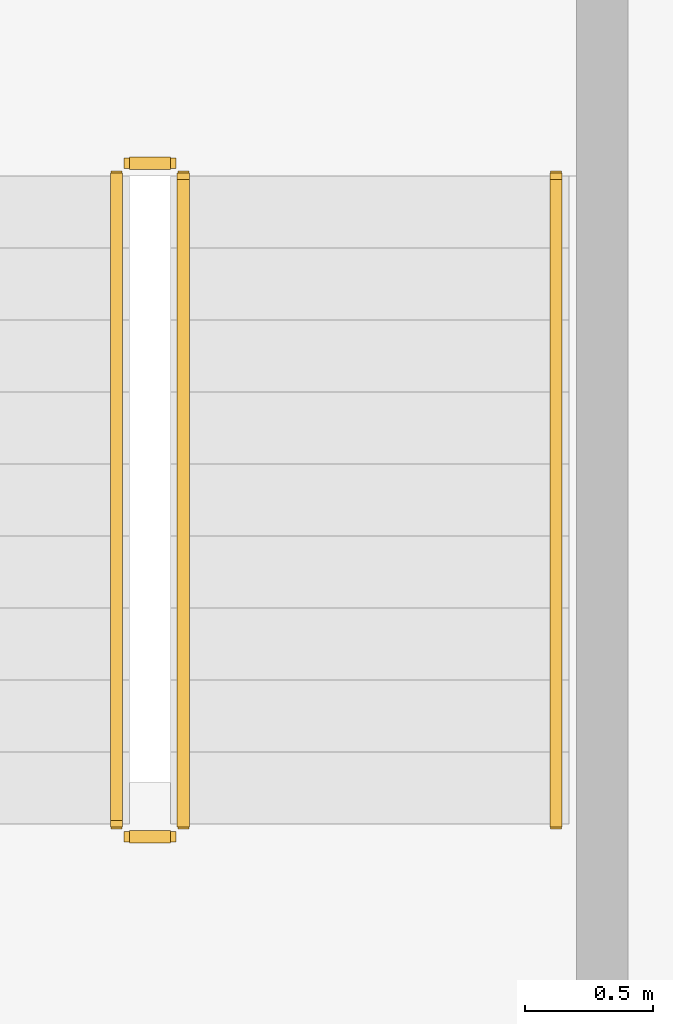
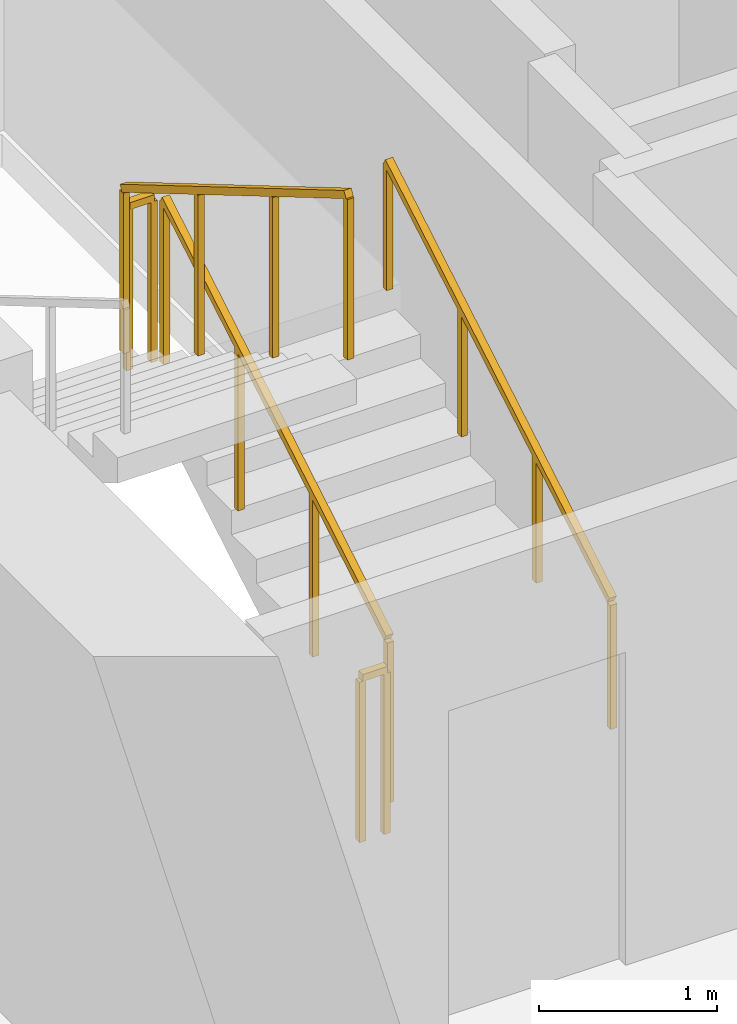
# One storey, part 24 of 26: 5 railings.
"""IFC4 building model written with IfcOpenShell, lengths in metres."""

from ifc_helpers import new_model, si_unit, direction, frame, origin, origin_2d, place, context, subcontext, project, spatial, rectangle, extrude, material, type_object, element, save


model = new_model("IFC4")

# Units and contexts
model_context = context("Model", 3, precision=1e-05, world=origin(), true_north=direction((0.0, 1.0)))
body_context = subcontext(model_context, "Body", "Model", "MODEL_VIEW")
ifc_project = project(units=[si_unit("LENGTHUNIT", "METRE"), si_unit("AREAUNIT", "SQUARE_METRE"), si_unit("VOLUMEUNIT", "CUBIC_METRE"), si_unit("PLANEANGLEUNIT", "RADIAN"), si_unit("MASSUNIT", "GRAM", prefix="KILO")], contexts=[model_context])

# Site, building, storey
site_placement = place(None, origin())
site = spatial("IfcSite", under=ifc_project, at=site_placement, CompositionType="ELEMENT")
building_placement = place(site_placement, origin())
building = spatial("IfcBuilding", under=site, at=building_placement, Name="Zarnakvel Exchange Tower", CompositionType="ELEMENT")
storey_placement = place(building_placement, frame((0.0, 0.0, 63.699951171875)))
storey = spatial("IfcBuildingStorey", under=building, at=storey_placement, Name="L17", CompositionType="ELEMENT", Elevation=63.699951171875)

# Railings
ifc_material_1 = material(Name="Brushed Stainless Steel", Category="steel")
railing_type_1 = type_object("IfcRailingType", Name="HR-01", PredefinedType="HANDRAIL", material=ifc_material_1)
railing_1_placement = place(storey_placement, frame((-10.590087890625, 5.050048828125, 0.1650390625)))
element("IfcRailing", 1, at=railing_1_placement, inside=storey, type_object=railing_type_1, Name="L17 ST-01 stair handrail 1", PredefinedType="HANDRAIL", context=body_context, shape_type="SweptSolid", body=[
    extrude(rectangle(XDim=0.048095703125, YDim=0.048095703125, at=origin_2d()), frame((0.0, 0.0, 0.8759765625), z_axis=(0.0, 0.86152411907, 0.507716645641), x_axis=(-1.0, 0.0, 0.0)), (0.0, 0.0, 1.0), 2.925048828125),
    extrude(rectangle(XDim=0.0419921875, YDim=0.0419921875, at=origin_2d()), origin(), (0.0, 0.0, 1.0), 0.851806640625),
    extrude(rectangle(XDim=0.0419921875, YDim=0.0419921875, at=origin_2d()), frame((0.0, 0.840087890625, 0.4951171875)), (0.0, 0.0, 1.0), 0.851806640625),
    extrude(rectangle(XDim=0.0419921875, YDim=0.0419921875, at=origin_2d()), frame((0.0, 1.679931640625, 0.989990234375)), (0.0, 0.0, 1.0), 0.851806640625),
    extrude(rectangle(XDim=0.0419921875, YDim=0.0419921875, at=origin_2d()), frame((0.0, 2.52001953125, 1.485107421875)), (0.0, 0.0, 1.0), 0.851806640625),
])
ifc_material_2 = material(Name="Architectural Bronze Anodised Aluminium", Category="aluminium")
railing_type_2 = type_object("IfcRailingType", Name="SG-01", PredefinedType="GUARDRAIL", material=ifc_material_2)
railing_2_placement = place(storey_placement, frame((-12.0400390625, 5.050048828125, 0.1650390625)))
element("IfcRailing", 2, at=railing_2_placement, inside=storey, type_object=railing_type_2, Name="L17 ST-01 stair guard 1", PredefinedType="GUARDRAIL", context=body_context, shape_type="SweptSolid", body=[
    extrude(rectangle(XDim=0.048095703125, YDim=0.048095703125, at=origin_2d()), frame((0.0, 0.0, 1.1259765625), z_axis=(0.0, 0.86152411907, 0.507716645641), x_axis=(-1.0, 0.0, 0.0)), (0.0, 0.0, 1.0), 2.925048828125),
    extrude(rectangle(XDim=0.0419921875, YDim=0.0419921875, at=origin_2d()), origin(), (0.0, 0.0, 1.0), 1.101806640625),
    extrude(rectangle(XDim=0.0419921875, YDim=0.0419921875, at=origin_2d()), frame((0.0, 0.840087890625, 0.4951171875)), (0.0, 0.0, 1.0), 1.101806640625),
    extrude(rectangle(XDim=0.0419921875, YDim=0.0419921875, at=origin_2d()), frame((0.0, 1.679931640625, 0.989990234375)), (0.0, 0.0, 1.0), 1.101806640625),
    extrude(rectangle(XDim=0.0419921875, YDim=0.0419921875, at=origin_2d()), frame((0.0, 2.52001953125, 1.485107421875)), (0.0, 0.0, 1.0), 1.101806640625),
])
railing_3_placement = place(storey_placement, frame((-12.090087890625, 7.6201171875, 1.650146484375)))
element("IfcRailing", 3, at=railing_3_placement, inside=storey, type_object=railing_type_2, Name="L17 ST-01 stair guard 2", PredefinedType="GUARDRAIL", context=body_context, shape_type="SweptSolid", body=[
    extrude(rectangle(XDim=0.048095703125, YDim=0.048095703125, at=origin_2d()), frame((0.0, 0.0, 1.1259765625), z_axis=(-1.0, 0.0, 0.0), x_axis=(0.0, -1.0, 0.0)), (0.0, 0.0, 1.0), 0.159912109375),
    extrude(rectangle(XDim=0.0419921875, YDim=0.0419921875, at=origin_2d()), origin(), (0.0, 0.0, 1.0), 1.101806640625),
    extrude(rectangle(XDim=0.0419921875, YDim=0.0419921875, at=origin_2d()), frame((-0.159912109375, 0.0, 0.0)), (0.0, 0.0, 1.0), 1.101806640625),
])
railing_4_placement = place(storey_placement, frame((-12.300048828125, 7.570068359375, 1.81494140625)))
element("IfcRailing", 4, at=railing_4_placement, inside=storey, type_object=railing_type_2, Name="L17 ST-01 stair guard 3", PredefinedType="GUARDRAIL", context=body_context, shape_type="SweptSolid", body=[
    extrude(rectangle(XDim=0.048095703125, YDim=0.048095703125, at=origin_2d()), frame((0.0, 0.0, 1.1259765625), z_axis=(0.0, -0.86152411907, 0.507716645641), x_axis=(1.0, 0.0, 0.0)), (0.0, 0.0, 1.0), 2.925048828125),
    extrude(rectangle(XDim=0.0419921875, YDim=0.0419921875, at=origin_2d()), origin(), (0.0, 0.0, 1.0), 1.101806640625),
    extrude(rectangle(XDim=0.0419921875, YDim=0.0419921875, at=origin_2d()), frame((0.0, -0.840087890625, 0.4951171875)), (0.0, 0.0, 1.0), 1.101806640625),
    extrude(rectangle(XDim=0.0419921875, YDim=0.0419921875, at=origin_2d()), frame((0.0, -1.679931640625, 0.989990234375)), (0.0, 0.0, 1.0), 1.101806640625),
    extrude(rectangle(XDim=0.0419921875, YDim=0.0419921875, at=origin_2d()), frame((0.0, -2.52001953125, 1.485107421875)), (0.0, 0.0, 1.0), 1.101806640625),
])
railing_5_placement = place(storey_placement, frame((-12.090087890625, 5.0, 0.0)))
element("IfcRailing", 5, at=railing_5_placement, inside=storey, type_object=railing_type_2, Name="L17 ST-01 stair guard 4", PredefinedType="GUARDRAIL", context=body_context, shape_type="SweptSolid", body=[
    extrude(rectangle(XDim=0.048095703125, YDim=0.048095703125, at=origin_2d()), frame((0.0, 0.0, 1.1259765625), z_axis=(-1.0, 0.0, 0.0), x_axis=(0.0, -1.0, 0.0)), (0.0, 0.0, 1.0), 0.159912109375),
    extrude(rectangle(XDim=0.0419921875, YDim=0.0419921875, at=origin_2d()), origin(), (0.0, 0.0, 1.0), 1.101806640625),
    extrude(rectangle(XDim=0.0419921875, YDim=0.0419921875, at=origin_2d()), frame((-0.159912109375, 0.0, 0.0)), (0.0, 0.0, 1.0), 1.101806640625),
])

save(model, "model.ifc")
